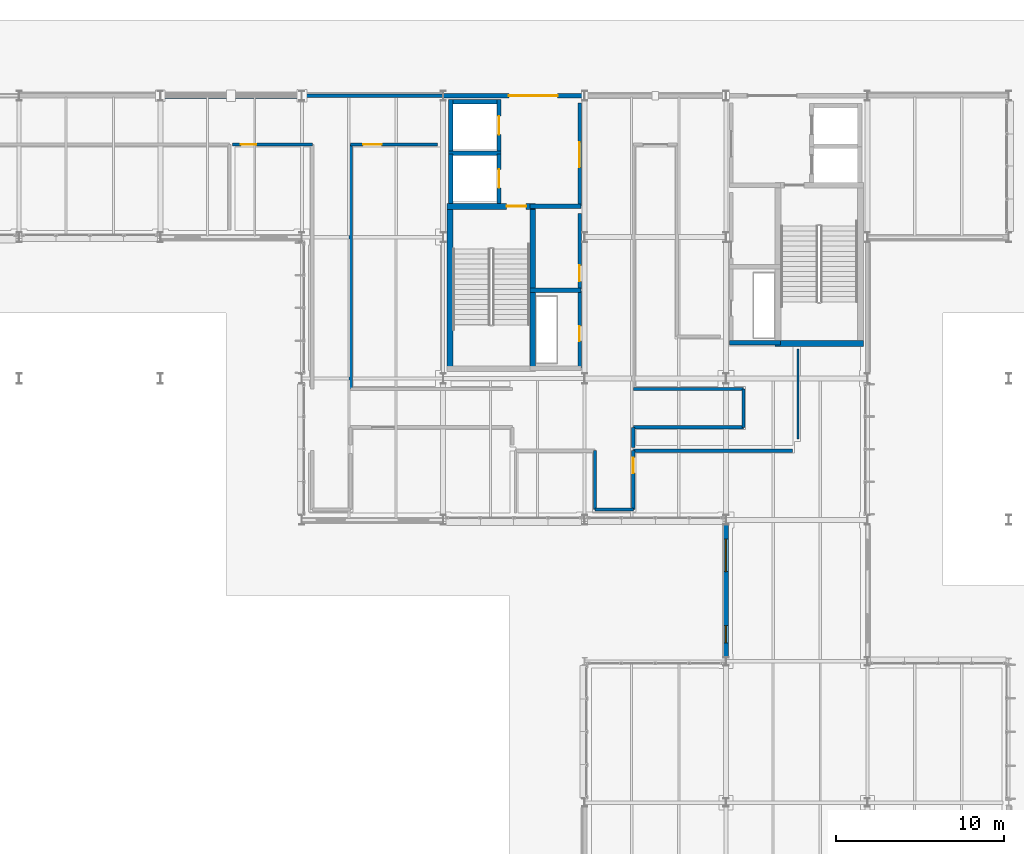
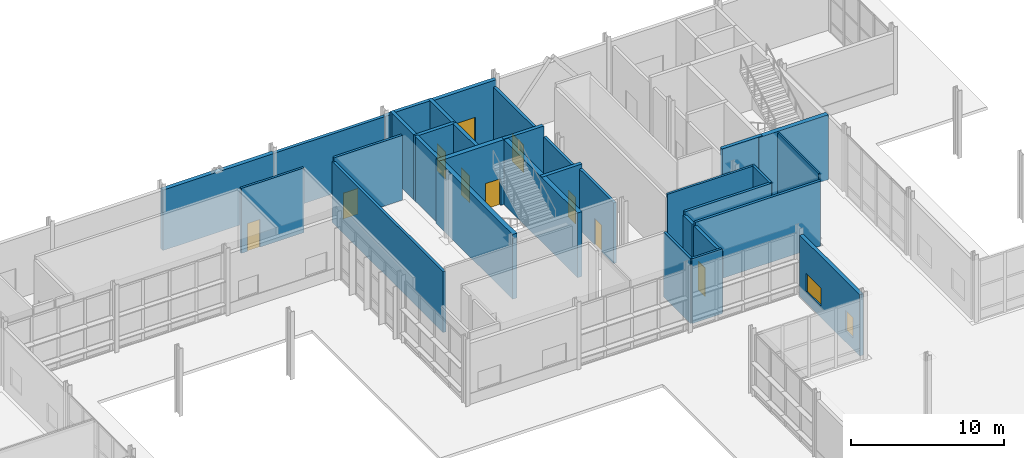
# One storey, part 94 of 124: 32 walls, 10 doors, 2 windows, 12 openings.
"""IFC4 building model written with IfcOpenShell, lengths in metres."""

from ifc_helpers import new_model, si_unit, direction, frame, frame_2d, origin, place, context, subcontext, project, spatial, rectangle, extrude, material, layer, layer_set, type_object, element, fill, save


model = new_model("IFC4")

# Units and contexts
model_context = context("Model", 3, precision=1e-05, world=origin(), true_north=direction((0.0, 1.0)))
body_context = subcontext(model_context, "Body", "Model", "MODEL_VIEW")
ifc_project = project(units=[si_unit("LENGTHUNIT", "METRE"), si_unit("AREAUNIT", "SQUARE_METRE"), si_unit("VOLUMEUNIT", "CUBIC_METRE"), si_unit("PLANEANGLEUNIT", "RADIAN"), si_unit("MASSUNIT", "GRAM", prefix="KILO")], contexts=[model_context])

# Site, building, storey
site_placement = place(None, origin())
site = spatial("IfcSite", under=ifc_project, at=site_placement, CompositionType="ELEMENT")
building_placement = place(site_placement, origin())
building = spatial("IfcBuilding", under=site, at=building_placement, Name="Mersafa Astral City Hall", CompositionType="ELEMENT")
storey_placement = place(building_placement, origin())
storey = spatial("IfcBuildingStorey", under=building, at=storey_placement, Name="L00", CompositionType="ELEMENT", Elevation=0.0)

# Wall
ifc_material_1 = material(Name="Precast concrete C40/50 insulated terracotta spandrel", Category="masonry")
ifc_layer_1 = layer(ifc_material_1, 0.235107421875, Name="Precast concrete C40/50 insulated terracotta spandrel")
ifc_layer_set_1 = layer_set([ifc_layer_1], Name="Precast concrete C40/50 insulated terracotta spandrel — ENV-WAL-EXT-235")
wall_type_1 = type_object("IfcWallType", Name="ENV-WAL-EXT-235", PredefinedType="STANDARD", material=ifc_layer_set_1)
wall_1_placement = place(storey_placement, frame((151.19189453125, 126.0, 0.0), z_axis=(0.0, 0.0, 1.0), x_axis=(-1.0, 0.0, 0.0)))
element("IfcWall", 1, at=wall_1_placement, inside=storey, type_object=wall_type_1, Name="L00 Limestone-clad exterior wall 41", PredefinedType="STANDARD", context=body_context, shape_type="SweptSolid", body=[
    extrude(rectangle(XDim=8.3837890625, YDim=0.235107421875, at=frame_2d((4.19189453125, 0.0))), origin(), (0.0, 0.0, 1.0), 4.797119140625),
])

# Wall, openings, windows
ifc_material_2 = material(Name="Precast concrete C40/50 insulated limestone wall", Category="masonry")
ifc_layer_2 = layer(ifc_material_2, 0.280029296875, Name="Precast concrete C40/50 insulated limestone wall")
ifc_layer_set_2 = layer_set([ifc_layer_2], Name="Precast concrete C40/50 insulated limestone wall — ENV-WAL-EXT-280")
wall_type_2 = type_object("IfcWallType", Name="ENV-WAL-EXT-280", PredefinedType="STANDARD", material=ifc_layer_set_2)
wall_2_placement = place(storey_placement, frame((168.0, 100.50390625, 0.0), z_axis=(0.0, 0.0, 1.0), x_axis=(0.0, -1.0, 0.0)))
wall_2 = element("IfcWall", 2, at=wall_2_placement, inside=storey, type_object=wall_type_2, Name="L00 Limestone-clad exterior wall 26", PredefinedType="STANDARD", context=body_context, shape_type="SweptSolid", body=[
    extrude(rectangle(XDim=7.85791015625, YDim=0.280029296875, at=frame_2d((3.928955078125, 0.0))), origin(), (0.0, 0.0, 1.0), 4.886962890625),
])
opening_1_placement = place(wall_2_placement, frame((0.85009765625, 0.0, 0.89990234375)))
opening_1 = element("IfcOpeningElement", 3, at=opening_1_placement, cuts=wall_2, Name="Opening W-30", PredefinedType="OPENING", context=body_context, shape_type="SweptSolid", body=[
    extrude(rectangle(XDim=1.919921875, YDim=1.449951171875, at=frame_2d((0.9599609375, 0.72509765625))), frame((0.0, 0.14990234375, 0.0), z_axis=(0.0, -1.0, 0.0), x_axis=(1.0, 0.0, 0.0)), (0.0, 0.0, 1.0), 0.300048828125),
])
opening_2_placement = place(wall_2_placement, frame((5.988037109375, 0.0, 0.89990234375)))
opening_2 = element("IfcOpeningElement", 4, at=opening_2_placement, cuts=wall_2, Name="Opening W-31", PredefinedType="OPENING", context=body_context, shape_type="SweptSolid", body=[
    extrude(rectangle(XDim=1.02001953125, YDim=1.64990234375, at=frame_2d((0.510009765625, 0.824951171875))), frame((0.0, 0.14990234375, 0.0), z_axis=(0.0, -1.0, 0.0), x_axis=(1.0, 0.0, 0.0)), (0.0, 0.0, 1.0), 0.300048828125),
])
ifc_material_3 = material(Name="Solar control low-e double glazing in bronze frame", Category="glass")
window_type_1 = type_object("IfcWindowType", Name="ENV-WIN-W-30", PartitioningType="SINGLE_PANEL", PredefinedType="WINDOW", material=ifc_material_3)
window_1_placement = place(opening_1_placement, origin())
window_1 = element("IfcWindow", 5, at=window_1_placement, inside=storey, type_object=window_type_1, Name="L00 Solar punched window 26-L", OverallHeight=1.449951171875, OverallWidth=1.919921875, PartitioningType="SINGLE_PANEL", PredefinedType="WINDOW", context=body_context, shape_type="SweptSolid", body=[
    extrude(rectangle(XDim=1.919921875, YDim=1.449951171875, at=frame_2d((0.9599609375, 0.72509765625))), frame((0.0, 0.030029296875, 0.0), z_axis=(0.0, -1.0, 0.0), x_axis=(1.0, 0.0, 0.0)), (0.0, 0.0, 1.0), 0.06005859375),
])
fill(opening_1, window_1)
window_type_2 = type_object("IfcWindowType", Name="ENV-WIN-W-31", PartitioningType="SINGLE_PANEL", PredefinedType="WINDOW", material=ifc_material_3)
window_2_placement = place(opening_2_placement, origin())
window_2 = element("IfcWindow", 6, at=window_2_placement, inside=storey, type_object=window_type_2, Name="L00 Solar punched window 26-R", OverallHeight=1.64990234375, OverallWidth=1.02001953125, PartitioningType="SINGLE_PANEL", PredefinedType="WINDOW", context=body_context, shape_type="SweptSolid", body=[
    extrude(rectangle(XDim=1.02001953125, YDim=1.64990234375, at=frame_2d((0.510009765625, 0.824951171875))), frame((0.0, 0.030029296875, 0.0), z_axis=(0.0, -1.0, 0.0), x_axis=(1.0, 0.0, 0.0)), (0.0, 0.0, 1.0), 0.06005859375),
])
fill(opening_2, window_2)

# Wall, opening, door
ifc_layer_3 = layer(ifc_material_2, 0.294921875, Name="Precast concrete C40/50 insulated limestone wall")
ifc_layer_set_3 = layer_set([ifc_layer_3], Name="Precast concrete C40/50 insulated limestone wall — ENV-WAL-EXT-295")
wall_type_3 = type_object("IfcWallType", Name="ENV-WAL-EXT-295", PredefinedType="STANDARD", material=ifc_layer_set_3)
wall_3_placement = place(storey_placement, frame((151.2080078125, 126.0, 0.0), z_axis=(0.0, 0.0, 1.0), x_axis=(1.0, 0.0, 0.0)))
wall_3 = element("IfcWall", 7, at=wall_3_placement, inside=storey, type_object=wall_type_3, Name="L00 Protected lobby exit wall E5", PredefinedType="STANDARD", context=body_context, shape_type="SweptSolid", body=[
    extrude(rectangle(XDim=8.384033203125, YDim=0.294921875, at=frame_2d((4.19189453125, 0.0))), origin(), (0.0, 0.0, 1.0), 4.826904296875),
])
opening_3_placement = place(wall_3_placement, frame((3.89208984375, 0.0, 0.0)))
opening_3 = element("IfcOpeningElement", 8, at=opening_3_placement, cuts=wall_3, Name="Opening ED-4", PredefinedType="OPENING", context=body_context, shape_type="SweptSolid", body=[
    extrude(rectangle(XDim=2.89990234375, YDim=2.3798828125, at=frame_2d((1.449951171875, 1.18994140625))), frame((0.0, 0.157470703125, 0.0), z_axis=(0.0, -1.0, 0.0), x_axis=(1.0, 0.0, 0.0)), (0.0, 0.0, 1.0), 0.31494140625),
])
ifc_material_4 = material(Name="Fire-rated steel exit door pair", Category="steel")
door_type_1 = type_object("IfcDoorType", Name="ENV-DR-EXIT-FD90-2650", OperationType="NOTDEFINED", PredefinedType="DOOR", material=ifc_material_4)
door_1_placement = place(opening_3_placement, origin())
door_1 = element("IfcDoor", 9, at=door_1_placement, inside=storey, type_object=door_type_1, Name="Ground Final Exit Door E5", OperationType="DOUBLE_DOOR_SINGLE_SWING", OverallHeight=2.3798828125, OverallWidth=2.89990234375, PredefinedType="DOOR", context=body_context, shape_type="SweptSolid", body=[
    extrude(rectangle(XDim=2.89990234375, YDim=2.3798828125, at=frame_2d((1.449951171875, 1.18994140625))), frame((0.0, 0.02490234375, 0.0), z_axis=(0.0, -1.0, 0.0), x_axis=(1.0, 0.0, 0.0)), (0.0, 0.0, 1.0), 0.050048828125),
])
fill(opening_3, door_1)

# Walls
ifc_layer_4 = layer(ifc_material_2, 0.31005859375, Name="Precast concrete C40/50 insulated limestone wall")
ifc_layer_set_4 = layer_set([ifc_layer_4], Name="Precast concrete C40/50 insulated limestone wall — ENV-WAL-EXT-310")
wall_type_4 = type_object("IfcWallType", Name="ENV-WAL-EXT-310", PredefinedType="STANDARD", material=ifc_layer_set_4)
wall_4_placement = place(storey_placement, frame((142.7919921875, 126.0, 0.0), z_axis=(0.0, 0.0, 1.0), x_axis=(-1.0, 0.0, 0.0)))
element("IfcWall", 10, at=wall_4_placement, inside=storey, type_object=wall_type_4, Name="L00 Limestone-clad exterior wall 42", PredefinedType="STANDARD", context=body_context, shape_type="SweptSolid", body=[
    extrude(rectangle(XDim=8.384033203125, YDim=0.31005859375, at=frame_2d((4.19189453125, 0.0))), origin(), (0.0, 0.0, 1.0), 4.826904296875),
])
ifc_material_5 = material(Name="Concrete C40/50", Category="concrete")
ifc_layer_5 = layer(ifc_material_5, 0.260009765625, Name="Concrete C40/50")
ifc_layer_set_5 = layer_set([ifc_layer_5], Name="Concrete C40/50 — INT-WAL-CORE-260")
wall_type_5 = type_object("IfcWallType", Name="INT-WAL-CORE-260", PredefinedType="SHEAR", material=ifc_layer_set_5)
wall_5_placement = place(storey_placement, frame((151.514892578125, 122.5849609375, 0.0), z_axis=(0.0, 0.0, 1.0), x_axis=(1.0, 0.0, 0.0)))
element("IfcWall", 11, at=wall_5_placement, inside=storey, type_object=wall_type_5, Name="L00 Lift LF1 north shaft wall", PredefinedType="SHEAR", context=body_context, shape_type="SweptSolid", body=[
    extrude(rectangle(XDim=3.130126953125, YDim=0.260009765625, at=frame_2d((1.56494140625, 0.0))), origin(), (0.0, 0.0, 1.0), 5.175048828125),
])
wall_6_placement = place(storey_placement, frame((151.64501953125, 119.596923828125, 0.0), z_axis=(0.0, 0.0, 1.0), x_axis=(0.0, 1.0, 0.0)))
element("IfcWall", 12, at=wall_6_placement, inside=storey, type_object=wall_type_5, Name="L00 Lift LF1 back shaft wall", PredefinedType="SHEAR", context=body_context, shape_type="SweptSolid", body=[
    extrude(rectangle(XDim=2.947998046875, YDim=0.260009765625, at=frame_2d((1.47412109375, 0.0))), origin(), (0.0, 0.0, 1.0), 5.175048828125),
])

# Wall, opening, door
wall_7_placement = place(storey_placement, frame((154.514892578125, 119.596923828125, 0.0), z_axis=(0.0, 0.0, 1.0), x_axis=(0.0, 1.0, 0.0)))
wall_7 = element("IfcWall", 13, at=wall_7_placement, inside=storey, type_object=wall_type_5, Name="L00 Lift LF1 front shaft wall", PredefinedType="SHEAR", context=body_context, shape_type="SweptSolid", body=[
    extrude(rectangle(XDim=2.947998046875, YDim=0.260009765625, at=frame_2d((1.47412109375, 0.0))), origin(), (0.0, 0.0, 1.0), 5.175048828125),
])
opening_4_placement = place(wall_7_placement, frame((0.924072265625, 0.0, 0.0)))
opening_4 = element("IfcOpeningElement", 14, at=opening_4_placement, cuts=wall_7, Name="Opening LD-1", PredefinedType="OPENING", context=body_context, shape_type="SweptSolid", body=[
    extrude(rectangle(XDim=1.10009765625, YDim=2.14990234375, at=frame_2d((0.550048828125, 1.074951171875))), frame((0.0, 0.139892578125, 0.0), z_axis=(0.0, -1.0, 0.0), x_axis=(1.0, 0.0, 0.0)), (0.0, 0.0, 1.0), 0.280029296875),
])
ifc_material_6 = material(Name="Stainless steel sliding lift landing door", Category="steel")
door_type_2 = type_object("IfcDoorType", Name="INT-DR-LIFT-LD1", OperationType="NOTDEFINED", PredefinedType="DOOR", material=ifc_material_6)
door_2_placement = place(opening_4_placement, origin())
door_2 = element("IfcDoor", 15, at=door_2_placement, inside=storey, type_object=door_type_2, Name="Elevator LF1 Sliding Landing Door L00", OperationType="DOUBLE_DOOR_SLIDING", OverallHeight=2.14990234375, OverallWidth=1.10009765625, PredefinedType="DOOR", context=body_context, shape_type="SweptSolid", body=[
    extrude(rectangle(XDim=1.10009765625, YDim=2.14990234375, at=frame_2d((0.550048828125, 1.074951171875))), frame((0.0, 0.02490234375, 0.0), z_axis=(0.0, -1.0, 0.0), x_axis=(1.0, 0.0, 0.0)), (0.0, 0.0, 1.0), 0.050048828125),
])
fill(opening_4, door_2)

# Walls
wall_8_placement = place(storey_placement, frame((151.514892578125, 125.635009765625, 0.0), z_axis=(0.0, 0.0, 1.0), x_axis=(1.0, 0.0, 0.0)))
element("IfcWall", 16, at=wall_8_placement, inside=storey, type_object=wall_type_5, Name="L00 Lift LF3 north shaft wall", PredefinedType="SHEAR", context=body_context, shape_type="SweptSolid", body=[
    extrude(rectangle(XDim=3.130126953125, YDim=0.260009765625, at=frame_2d((1.56494140625, 0.0))), origin(), (0.0, 0.0, 1.0), 5.175048828125),
])
wall_9_placement = place(storey_placement, frame((151.64501953125, 122.705078125, 0.0), z_axis=(0.0, 0.0, 1.0), x_axis=(0.0, 1.0, 0.0)))
element("IfcWall", 17, at=wall_9_placement, inside=storey, type_object=wall_type_5, Name="L00 Lift LF3 back shaft wall", PredefinedType="SHEAR", context=body_context, shape_type="SweptSolid", body=[
    extrude(rectangle(XDim=3.059814453125, YDim=0.260009765625, at=frame_2d((1.52978515625, 0.0))), origin(), (0.0, 0.0, 1.0), 5.175048828125),
])

# Wall, opening, door
wall_10_placement = place(storey_placement, frame((154.514892578125, 122.705078125, 0.0), z_axis=(0.0, 0.0, 1.0), x_axis=(0.0, 1.0, 0.0)))
wall_10 = element("IfcWall", 18, at=wall_10_placement, inside=storey, type_object=wall_type_5, Name="L00 Lift LF3 front shaft wall", PredefinedType="SHEAR", context=body_context, shape_type="SweptSolid", body=[
    extrude(rectangle(XDim=3.059814453125, YDim=0.260009765625, at=frame_2d((1.52978515625, 0.0))), origin(), (0.0, 0.0, 1.0), 5.175048828125),
])
opening_5_placement = place(wall_10_placement, frame((0.97998046875, 0.0, 0.0)))
opening_5 = element("IfcOpeningElement", 19, at=opening_5_placement, cuts=wall_10, Name="Opening LD-1", PredefinedType="OPENING", context=body_context, shape_type="SweptSolid", body=[
    extrude(rectangle(XDim=1.10009765625, YDim=2.14990234375, at=frame_2d((0.550048828125, 1.074951171875))), frame((0.0, 0.139892578125, 0.0), z_axis=(0.0, -1.0, 0.0), x_axis=(1.0, 0.0, 0.0)), (0.0, 0.0, 1.0), 0.280029296875),
])
door_3_placement = place(opening_5_placement, origin())
door_3 = element("IfcDoor", 20, at=door_3_placement, inside=storey, type_object=door_type_2, Name="Elevator LF3 Sliding Landing Door L00", OperationType="DOUBLE_DOOR_SLIDING", OverallHeight=2.14990234375, OverallWidth=1.10009765625, PredefinedType="DOOR", context=body_context, shape_type="SweptSolid", body=[
    extrude(rectangle(XDim=1.10009765625, YDim=2.14990234375, at=frame_2d((0.550048828125, 1.074951171875))), frame((0.0, 0.02490234375, 0.0), z_axis=(0.0, -1.0, 0.0), x_axis=(1.0, 0.0, 0.0)), (0.0, 0.0, 1.0), 0.050048828125),
])
fill(opening_5, door_3)

# Walls
for number, where, z_axis, x_axis, name in (
    (21, (156.364990234375, 114.43505859375, 0.0), (0.0, 0.0, 1.0), (1.0, 0.0, 0.0), "L00 Core K1 riser-restroom divider wall"),
    (22, (156.364990234375, 119.43505859375, 0.0), (0.0, 0.0, 1.0), (1.0, 0.0, 0.0), "L00 Core K1 restroom-lobby divider wall"),
):
    element("IfcWall", number, at=place(storey_placement, frame(where, z_axis=z_axis, x_axis=x_axis)), inside=storey, type_object=wall_type_5, Name=name, PredefinedType="SHEAR", context=body_context, shape_type="SweptSolid", body=[
        extrude(rectangle(XDim=3.034912109375, YDim=0.260009765625, at=frame_2d((1.517578125, 0.0))), origin(), (0.0, 0.0, 1.0), 5.175048828125),
    ])
wall_11_placement = place(storey_placement, frame((168.199951171875, 111.320068359375, 0.0), z_axis=(0.0, 0.0, 1.0), x_axis=(1.0, 0.0, 0.0)))
element("IfcWall", 23, at=wall_11_placement, inside=storey, type_object=wall_type_5, Name="L00 Core K2 riser south wall", PredefinedType="SHEAR", context=body_context, shape_type="SweptSolid", body=[
    extrude(rectangle(XDim=3.03515625, YDim=0.260009765625, at=frame_2d((1.517578125, 0.0))), origin(), (0.0, 0.0, 1.0), 5.175048828125),
])
ifc_layer_6 = layer(ifc_material_5, 0.340087890625, Name="Concrete C40/50")
ifc_layer_set_6 = layer_set([ifc_layer_6], Name="Concrete C40/50 — INT-WAL-CORE-340")
wall_type_6 = type_object("IfcWallType", Name="INT-WAL-CORE-340", PredefinedType="SHEAR", material=ifc_layer_set_6)
for number, where, z_axis, x_axis, name in (
    (24, (151.60498046875, 109.60498046875, 0.0), (0.0, 0.0, 1.0), (0.0, 1.0, 0.0), "L00 Core K1 stair west shear wall"),
    (25, (156.514892578125, 109.60498046875, 0.0), (0.0, 0.0, 1.0), (0.0, 1.0, 0.0), "L00 Core K1 stair east shear wall"),
):
    element("IfcWall", number, at=place(storey_placement, frame(where, z_axis=z_axis, x_axis=x_axis)), inside=storey, type_object=wall_type_6, Name=name, PredefinedType="SHEAR", context=body_context, shape_type="SweptSolid", body=[
        extrude(rectangle(XDim=9.989990234375, YDim=0.340087890625, at=frame_2d((4.9951171875, 0.0))), origin(), (0.0, 0.0, 1.0), 5.175048828125),
    ])

# Wall, opening, door
wall_12_placement = place(storey_placement, frame((151.43505859375, 119.425048828125, 0.0), z_axis=(0.0, 0.0, 1.0), x_axis=(1.0, 0.0, 0.0)))
wall_12 = element("IfcWall", 26, at=wall_12_placement, inside=storey, type_object=wall_type_6, Name="L00 Core K1 stair-lobby fire wall", PredefinedType="SHEAR", context=body_context, shape_type="SweptSolid", body=[
    extrude(rectangle(XDim=5.25, YDim=0.340087890625, at=frame_2d((2.625, 0.0))), origin(), (0.0, 0.0, 1.0), 5.175048828125),
])
opening_6_placement = place(wall_12_placement, frame((3.534912109375, 0.0, 0.0)))
opening_6 = element("IfcOpeningElement", 27, at=opening_6_placement, cuts=wall_12, Name="Opening CD-1", PredefinedType="OPENING", context=body_context, shape_type="SweptSolid", body=[
    extrude(rectangle(XDim=1.14990234375, YDim=2.14990234375, at=frame_2d((0.574951171875, 1.074951171875))), frame((0.0, 0.179931640625, 0.0), z_axis=(0.0, -1.0, 0.0), x_axis=(1.0, 0.0, 0.0)), (0.0, 0.0, 1.0), 0.360107421875),
])
ifc_material_7 = material(Name="Fire-rated steel stair door", Category="steel")
door_type_3 = type_object("IfcDoorType", Name="INT-DR-STAIR-FD90-1150", OperationType="NOTDEFINED", PredefinedType="DOOR", material=ifc_material_7)
door_4_placement = place(opening_6_placement, origin())
door_4 = element("IfcDoor", 28, at=door_4_placement, inside=storey, type_object=door_type_3, Name="L00 Protected Stair ST1 Door", OperationType="SINGLE_SWING_LEFT", OverallHeight=2.14990234375, OverallWidth=1.14990234375, PredefinedType="DOOR", context=body_context, shape_type="SweptSolid", body=[
    extrude(rectangle(XDim=1.14990234375, YDim=2.14990234375, at=frame_2d((0.574951171875, 1.074951171875))), frame((0.0, 0.02490234375, 0.0), z_axis=(0.0, -1.0, 0.0), x_axis=(1.0, 0.0, 0.0)), (0.0, 0.0, 1.0), 0.050048828125),
])
fill(opening_6, door_4)

# Walls
wall_13_placement = place(storey_placement, frame((170.9150390625, 111.27490234375, 0.0), z_axis=(0.0, 0.0, 1.0), x_axis=(1.0, 0.0, 0.0)))
element("IfcWall", 29, at=wall_13_placement, inside=storey, type_object=wall_type_6, Name="L00 Core K2 stair south shear wall", PredefinedType="SHEAR", context=body_context, shape_type="SweptSolid", body=[
    extrude(rectangle(XDim=5.25, YDim=0.340087890625, at=frame_2d((2.625, 0.0))), origin(), (0.0, 0.0, 1.0), 5.175048828125),
])
ifc_material_8 = material(Name="Acoustic steel-stud gypsum partition", Category="steel")
ifc_layer_7 = layer(ifc_material_8, 0.1201171875, Name="Acoustic steel-stud gypsum partition")
ifc_layer_set_7 = layer_set([ifc_layer_7], Name="Acoustic steel-stud gypsum partition — INT-WAL-PART-EI30-120")
wall_type_7 = type_object("IfcWallType", Name="INT-WAL-PART-EI30-120", PredefinedType="STANDARD", material=ifc_layer_set_7)
wall_14_placement = place(storey_placement, frame((172.2900390625, 105.610107421875, -0.00390625), z_axis=(0.0, 0.0, 1.0), x_axis=(0.0, 1.0, 0.0)))
element("IfcWall", 30, at=wall_14_placement, inside=storey, type_object=wall_type_7, Name="L00 Interior partition wall 122", PredefinedType="STANDARD", context=body_context, shape_type="SweptSolid", body=[
    extrude(rectangle(XDim=5.329833984375, YDim=0.1201171875, at=frame_2d((2.6650390625, 0.0))), origin(), (0.0, 0.0, 1.0), 5.178955078125),
])
ifc_material_9 = material(Name="Fire-rated gypsum stud partition", Category="gypsum")
ifc_layer_8 = layer(ifc_material_9, 0.1650390625, Name="Fire-rated gypsum stud partition")
ifc_layer_set_8 = layer_set([ifc_layer_8], Name="Fire-rated gypsum stud partition — INT-WAL-PART-EI60-165")
wall_type_8 = type_object("IfcWallType", Name="INT-WAL-PART-EI60-165", PredefinedType="STANDARD", material=ifc_layer_set_8)
wall_15_placement = place(storey_placement, frame((160.219970703125, 101.419921875, -0.00390625), z_axis=(0.0, 0.0, 1.0), x_axis=(1.0, 0.0, 0.0)))
element("IfcWall", 31, at=wall_15_placement, inside=storey, type_object=wall_type_8, Name="L00 Interior partition wall 119", PredefinedType="STANDARD", context=body_context, shape_type="SweptSolid", body=[
    extrude(rectangle(XDim=2.280029296875, YDim=0.1650390625, at=frame_2d((1.14013671875, 0.0))), origin(), (0.0, 0.0, 1.0), 5.178955078125),
])
wall_16_placement = place(storey_placement, frame((169.030029296875, 108.580078125, -0.00390625), z_axis=(0.0, 0.0, 1.0), x_axis=(-1.0, 0.0, 0.0)))
element("IfcWall", 32, at=wall_16_placement, inside=storey, type_object=wall_type_8, Name="L00 Interior partition wall 191", PredefinedType="STANDARD", context=body_context, shape_type="SweptSolid", body=[
    extrude(rectangle(XDim=6.530029296875, YDim=0.1650390625, at=frame_2d((3.26513671875, 0.0))), origin(), (0.0, 0.0, 1.0), 5.178955078125),
])

# Wall, opening, door
wall_17_placement = place(storey_placement, frame((138.68994140625, 123.10009765625, -0.00390625), z_axis=(0.0, 0.0, 1.0), x_axis=(1.0, 0.0, 0.0)))
wall_17 = element("IfcWall", 33, at=wall_17_placement, inside=storey, type_object=wall_type_8, Name="L00 Interior partition wall 247", PredefinedType="STANDARD", context=body_context, shape_type="SweptSolid", body=[
    extrude(rectangle(XDim=4.72998046875, YDim=0.1650390625, at=frame_2d((2.364990234375, 0.0))), origin(), (0.0, 0.0, 1.0), 5.178955078125),
])
opening_7_placement = place(wall_17_placement, frame((0.486083984375, 0.0, 0.0)))
opening_7 = element("IfcOpeningElement", 34, at=opening_7_placement, cuts=wall_17, Name="Opening D-19", PredefinedType="OPENING", context=body_context, shape_type="SweptSolid", body=[
    extrude(rectangle(XDim=0.919921875, YDim=2.219970703125, at=frame_2d((0.4599609375, 1.10986328125))), frame((0.0, 0.092529296875, 0.0), z_axis=(0.0, -1.0, 0.0), x_axis=(1.0, 0.0, 0.0)), (0.0, 0.0, 1.0), 0.18505859375),
])
ifc_material_10 = material(Name="Cedar veneered acoustic fire-rated timber door", Category="wood")
door_type_4 = type_object("IfcDoorType", Name="INT-DR-RM-D-19", OperationType="NOTDEFINED", PredefinedType="DOOR", material=ifc_material_10)
door_5_placement = place(opening_7_placement, origin())
door_5 = element("IfcDoor", 35, at=door_5_placement, inside=storey, type_object=door_type_4, Name="L00 Public Restroom L00-29 Entrance Door", OperationType="SINGLE_SWING_LEFT", OverallHeight=2.219970703125, OverallWidth=0.919921875, PredefinedType="DOOR", context=body_context, shape_type="SweptSolid", body=[
    extrude(rectangle(XDim=0.919921875, YDim=2.219970703125, at=frame_2d((0.4599609375, 1.10986328125))), frame((0.0, 0.02490234375, 0.0), z_axis=(0.0, -1.0, 0.0), x_axis=(1.0, 0.0, 0.0)), (0.0, 0.0, 1.0), 0.050048828125),
])
fill(opening_7, door_5)

# Wall
ifc_material_11 = material(Name="Acoustic twin-stud gypsum partition", Category="gypsum")
ifc_layer_9 = layer(ifc_material_11, 0.179931640625, Name="Acoustic twin-stud gypsum partition")
ifc_layer_set_9 = layer_set([ifc_layer_9], Name="Acoustic twin-stud gypsum partition — INT-WAL-PART-EI60-180")
wall_type_9 = type_object("IfcWallType", Name="INT-WAL-PART-EI60-180", PredefinedType="STANDARD", material=ifc_layer_set_9)
wall_18_placement = place(storey_placement, frame((160.219970703125, 104.909912109375, -0.00390625), z_axis=(0.0, 0.0, 1.0), x_axis=(0.0, -1.0, 0.0)))
element("IfcWall", 36, at=wall_18_placement, inside=storey, type_object=wall_type_9, Name="L00 Interior partition wall 118", PredefinedType="STANDARD", context=body_context, shape_type="SweptSolid", body=[
    extrude(rectangle(XDim=3.489990234375, YDim=0.179931640625, at=frame_2d((1.7451171875, 0.0))), origin(), (0.0, 0.0, 1.0), 5.178955078125),
])

# Wall, opening, door
wall_19_placement = place(storey_placement, frame((145.699951171875, 123.10009765625, -0.00390625), z_axis=(0.0, 0.0, 1.0), x_axis=(1.0, 0.0, 0.0)))
wall_19 = element("IfcWall", 37, at=wall_19_placement, inside=storey, type_object=wall_type_9, Name="L00 Interior partition wall 182", PredefinedType="STANDARD", context=body_context, shape_type="SweptSolid", body=[
    extrude(rectangle(XDim=5.16015625, YDim=0.179931640625, at=frame_2d((2.580078125, 0.0))), origin(), (0.0, 0.0, 1.0), 5.178955078125),
])
opening_8_placement = place(wall_19_placement, frame((0.739990234375, 0.0, 0.0)))
opening_8 = element("IfcOpeningElement", 38, at=opening_8_placement, cuts=wall_19, Name="Opening D-04", PredefinedType="OPENING", context=body_context, shape_type="SweptSolid", body=[
    extrude(rectangle(XDim=1.10009765625, YDim=2.06005859375, at=frame_2d((0.550048828125, 1.030029296875))), frame((0.0, 0.099853515625, 0.0), z_axis=(0.0, -1.0, 0.0), x_axis=(1.0, 0.0, 0.0)), (0.0, 0.0, 1.0), 0.199951171875),
])
door_type_5 = type_object("IfcDoorType", Name="INT-DR-RM-D-04", OperationType="NOTDEFINED", PredefinedType="DOOR", material=ifc_material_10)
door_6_placement = place(opening_8_placement, origin())
door_6 = element("IfcDoor", 39, at=door_6_placement, inside=storey, type_object=door_type_5, Name="L00 Public Hearings Auditorium L00-14 Entrance Door", OperationType="SINGLE_SWING_RIGHT", OverallHeight=2.06005859375, OverallWidth=1.10009765625, PredefinedType="DOOR", context=body_context, shape_type="SweptSolid", body=[
    extrude(rectangle(XDim=1.10009765625, YDim=2.06005859375, at=frame_2d((0.550048828125, 1.030029296875))), frame((0.0, 0.02490234375, 0.0), z_axis=(0.0, -1.0, 0.0), x_axis=(1.0, 0.0, 0.0)), (0.0, 0.0, 1.0), 0.050048828125),
])
fill(opening_8, door_6)

# Walls
wall_20_placement = place(storey_placement, frame((169.030029296875, 106.300048828125, -0.00390625), z_axis=(0.0, 0.0, 1.0), x_axis=(0.0, 1.0, 0.0)))
element("IfcWall", 40, at=wall_20_placement, inside=storey, type_object=wall_type_9, Name="L00 Interior partition wall 190", PredefinedType="STANDARD", context=body_context, shape_type="SweptSolid", body=[
    extrude(rectangle(XDim=2.280029296875, YDim=0.179931640625, at=frame_2d((1.14013671875, 0.0))), origin(), (0.0, 0.0, 1.0), 5.178955078125),
])
ifc_layer_10 = layer(ifc_material_11, 0.195068359375, Name="Acoustic twin-stud gypsum partition")
ifc_layer_set_10 = layer_set([ifc_layer_10], Name="Acoustic twin-stud gypsum partition — INT-WAL-PART-EI60-195")
wall_type_10 = type_object("IfcWallType", Name="INT-WAL-PART-EI60-195", PredefinedType="STANDARD", material=ifc_layer_set_10)
wall_21_placement = place(storey_placement, frame((162.5, 104.909912109375, -0.00390625), z_axis=(0.0, 0.0, 1.0), x_axis=(1.0, 0.0, 0.0)))
element("IfcWall", 41, at=wall_21_placement, inside=storey, type_object=wall_type_10, Name="L00 Interior partition wall 121", PredefinedType="STANDARD", context=body_context, shape_type="SweptSolid", body=[
    extrude(rectangle(XDim=9.43994140625, YDim=0.195068359375, at=frame_2d((4.719970703125, 0.0))), origin(), (0.0, 0.0, 1.0), 5.178955078125),
])
wall_22_placement = place(storey_placement, frame((145.699951171875, 108.580078125, -0.00390625), z_axis=(0.0, 0.0, 1.0), x_axis=(0.0, 1.0, 0.0)))
element("IfcWall", 42, at=wall_22_placement, inside=storey, type_object=wall_type_10, Name="L00 Interior partition wall 181", PredefinedType="STANDARD", context=body_context, shape_type="SweptSolid", body=[
    extrude(rectangle(XDim=14.52001953125, YDim=0.195068359375, at=frame_2d((7.260009765625, 0.0))), origin(), (0.0, 0.0, 1.0), 4.86083984375),
])
wall_23_placement = place(storey_placement, frame((162.5, 106.300048828125, -0.00390625), z_axis=(0.0, 0.0, 1.0), x_axis=(1.0, 0.0, 0.0)))
element("IfcWall", 43, at=wall_23_placement, inside=storey, type_object=wall_type_10, Name="L00 Interior partition wall 189", PredefinedType="STANDARD", context=body_context, shape_type="SweptSolid", body=[
    extrude(rectangle(XDim=6.530029296875, YDim=0.195068359375, at=frame_2d((3.26513671875, 0.0))), origin(), (0.0, 0.0, 1.0), 5.178955078125),
])

# Wall, opening, door
ifc_material_12 = material(Name="Autoclaved aerated concrete blockwork plastered", Category="masonry")
ifc_layer_11 = layer(ifc_material_12, 0.2099609375, Name="Autoclaved aerated concrete blockwork plastered")
ifc_layer_set_11 = layer_set([ifc_layer_11], Name="Autoclaved aerated concrete blockwork plastered — INT-WAL-PART-EI60-210")
wall_type_11 = type_object("IfcWallType", Name="INT-WAL-PART-EI60-210", PredefinedType="STANDARD", material=ifc_layer_set_11)
wall_24_placement = place(storey_placement, frame((159.300048828125, 109.820068359375, 0.0), z_axis=(0.0, 0.0, 1.0), x_axis=(0.0, 1.0, 0.0)))
wall_24 = element("IfcWall", 44, at=wall_24_placement, inside=storey, type_object=wall_type_11, Name="L00 Core K1 riser corridor partition", PredefinedType="STANDARD", context=body_context, shape_type="SweptSolid", body=[
    extrude(rectangle(XDim=4.58984375, YDim=0.2099609375, at=frame_2d((2.294921875, 0.0))), origin(), (0.0, 0.0, 1.0), 4.846923828125),
])
opening_9_placement = place(wall_24_placement, frame((1.60009765625, 0.0, 0.0)))
opening_9 = element("IfcOpeningElement", 45, at=opening_9_placement, cuts=wall_24, Name="Opening CD-5", PredefinedType="OPENING", context=body_context, shape_type="SweptSolid", body=[
    extrude(rectangle(XDim=0.89990234375, YDim=2.10009765625, at=frame_2d((0.449951171875, 1.050048828125))), frame((0.0, 0.114990234375, 0.0), z_axis=(0.0, -1.0, 0.0), x_axis=(1.0, 0.0, 0.0)), (0.0, 0.0, 1.0), 0.22998046875),
])
ifc_material_13 = material(Name="Fire-rated steel riser access door", Category="steel")
door_type_6 = type_object("IfcDoorType", Name="INT-DR-RISER-FD60-900", OperationType="NOTDEFINED", PredefinedType="DOOR", material=ifc_material_13)
door_7_placement = place(opening_9_placement, origin())
door_7 = element("IfcDoor", 46, at=door_7_placement, inside=storey, type_object=door_type_6, Name="L00 K1 MEP Riser Access Door", OperationType="SINGLE_SWING_RIGHT", OverallHeight=2.10009765625, OverallWidth=0.89990234375, PredefinedType="DOOR", context=body_context, shape_type="SweptSolid", body=[
    extrude(rectangle(XDim=0.89990234375, YDim=2.10009765625, at=frame_2d((0.449951171875, 1.050048828125))), frame((0.0, 0.02490234375, 0.0), z_axis=(0.0, -1.0, 0.0), x_axis=(1.0, 0.0, 0.0)), (0.0, 0.0, 1.0), 0.050048828125),
])
fill(opening_9, door_7)

wall_25_placement = place(storey_placement, frame((159.300048828125, 114.52001953125, 0.0), z_axis=(0.0, 0.0, 1.0), x_axis=(0.0, 1.0, 0.0)))
wall_25 = element("IfcWall", 47, at=wall_25_placement, inside=storey, type_object=wall_type_11, Name="L00 Core K1 accessible WC corridor partition", PredefinedType="STANDARD", context=body_context, shape_type="SweptSolid", body=[
    extrude(rectangle(XDim=4.47998046875, YDim=0.2099609375, at=frame_2d((2.239990234375, 0.0))), origin(), (0.0, 0.0, 1.0), 4.556884765625),
])
opening_10_placement = place(wall_25_placement, frame((0.449951171875, 0.0, 0.0)))
opening_10 = element("IfcOpeningElement", 48, at=opening_10_placement, cuts=wall_25, Name="Opening CD-4", PredefinedType="OPENING", context=body_context, shape_type="SweptSolid", body=[
    extrude(rectangle(XDim=0.949951171875, YDim=2.14990234375, at=frame_2d((0.47509765625, 1.074951171875))), frame((0.0, 0.114990234375, 0.0), z_axis=(0.0, -1.0, 0.0), x_axis=(1.0, 0.0, 0.0)), (0.0, 0.0, 1.0), 0.22998046875),
])
ifc_material_14 = material(Name="Accessible timber acoustic WC door", Category="wood")
door_type_7 = type_object("IfcDoorType", Name="INT-DR-WC-FD30-950", OperationType="NOTDEFINED", PredefinedType="DOOR", material=ifc_material_14)
door_8_placement = place(opening_10_placement, origin())
door_8 = element("IfcDoor", 49, at=door_8_placement, inside=storey, type_object=door_type_7, Name="L00 K1 Accessible Restroom Door", OperationType="SINGLE_SWING_LEFT", OverallHeight=2.14990234375, OverallWidth=0.949951171875, PredefinedType="DOOR", context=body_context, shape_type="SweptSolid", body=[
    extrude(rectangle(XDim=0.949951171875, YDim=2.14990234375, at=frame_2d((0.47509765625, 1.074951171875))), frame((0.0, 0.02490234375, 0.0), z_axis=(0.0, -1.0, 0.0), x_axis=(1.0, 0.0, 0.0)), (0.0, 0.0, 1.0), 0.050048828125),
])
fill(opening_10, door_8)

wall_26_placement = place(storey_placement, frame((159.300048828125, 119.43994140625, 0.0), z_axis=(0.0, 0.0, 1.0), x_axis=(0.0, 1.0, 0.0)))
wall_26 = element("IfcWall", 50, at=wall_26_placement, inside=storey, type_object=wall_type_11, Name="L00 Core K1 lobby corridor partition", PredefinedType="STANDARD", context=body_context, shape_type="SweptSolid", body=[
    extrude(rectangle(XDim=6.1201171875, YDim=0.2099609375, at=frame_2d((3.06005859375, 0.0))), origin(), (0.0, 0.0, 1.0), 4.556884765625),
])
opening_11_placement = place(wall_26_placement, frame((2.31005859375, 0.0, 0.0)))
opening_11 = element("IfcOpeningElement", 51, at=opening_11_placement, cuts=wall_26, Name="Opening CD-3", PredefinedType="OPENING", context=body_context, shape_type="SweptSolid", body=[
    extrude(rectangle(XDim=1.5, YDim=2.199951171875, at=frame_2d((0.75, 1.10009765625))), frame((0.0, 0.114990234375, 0.0), z_axis=(0.0, -1.0, 0.0), x_axis=(1.0, 0.0, 0.0)), (0.0, 0.0, 1.0), 0.22998046875),
])
ifc_material_15 = material(Name="Fire-rated glazed lobby door pair", Category="metal")
door_type_8 = type_object("IfcDoorType", Name="INT-DR-LOBBY-FD90-1500", OperationType="NOTDEFINED", PredefinedType="DOOR", material=ifc_material_15)
door_9_placement = place(opening_11_placement, origin())
door_9 = element("IfcDoor", 52, at=door_9_placement, inside=storey, type_object=door_type_8, Name="L00 K1 Lift Lobby Fire Door", OperationType="DOUBLE_DOOR_SINGLE_SWING", OverallHeight=2.199951171875, OverallWidth=1.5, PredefinedType="DOOR", context=body_context, shape_type="SweptSolid", body=[
    extrude(rectangle(XDim=1.5, YDim=2.199951171875, at=frame_2d((0.75, 1.10009765625))), frame((0.0, 0.02490234375, 0.0), z_axis=(0.0, -1.0, 0.0), x_axis=(1.0, 0.0, 0.0)), (0.0, 0.0, 1.0), 0.050048828125),
])
fill(opening_11, door_9)

wall_27_placement = place(storey_placement, frame((162.5, 101.419921875, -0.00390625), z_axis=(0.0, 0.0, 1.0), x_axis=(0.0, 1.0, 0.0)))
wall_27 = element("IfcWall", 53, at=wall_27_placement, inside=storey, type_object=wall_type_11, Name="L00 Interior partition wall 120", PredefinedType="STANDARD", context=body_context, shape_type="SweptSolid", body=[
    extrude(rectangle(XDim=3.489990234375, YDim=0.2099609375, at=frame_2d((1.7451171875, 0.0))), origin(), (0.0, 0.0, 1.0), 4.890869140625),
])
opening_12_placement = place(wall_27_placement, frame((2.157470703125, 0.0, 0.0)))
opening_12 = element("IfcOpeningElement", 54, at=opening_12_placement, cuts=wall_27, Name="Opening D-28", PredefinedType="OPENING", context=body_context, shape_type="SweptSolid", body=[
    extrude(rectangle(XDim=0.919921875, YDim=2.300048828125, at=frame_2d((0.4599609375, 1.14990234375))), frame((0.0, 0.114990234375, 0.0), z_axis=(0.0, -1.0, 0.0), x_axis=(1.0, 0.0, 0.0)), (0.0, 0.0, 1.0), 0.22998046875),
])
door_type_9 = type_object("IfcDoorType", Name="INT-DR-RM-D-28", OperationType="NOTDEFINED", PredefinedType="DOOR", material=ifc_material_10)
door_10_placement = place(opening_12_placement, origin())
door_10 = element("IfcDoor", 55, at=door_10_placement, inside=storey, type_object=door_type_9, Name="L00 Citizens Service Centre L00-02 Entrance Door", OperationType="SINGLE_SWING_RIGHT", OverallHeight=2.300048828125, OverallWidth=0.919921875, PredefinedType="DOOR", context=body_context, shape_type="SweptSolid", body=[
    extrude(rectangle(XDim=0.919921875, YDim=2.300048828125, at=frame_2d((0.4599609375, 1.14990234375))), frame((0.0, 0.02490234375, 0.0), z_axis=(0.0, -1.0, 0.0), x_axis=(1.0, 0.0, 0.0)), (0.0, 0.0, 1.0), 0.050048828125),
])
fill(opening_12, door_10)

# Wall
wall_28_placement = place(storey_placement, frame((162.5, 105.090087890625, -0.00390625), z_axis=(0.0, 0.0, 1.0), x_axis=(0.0, 1.0, 0.0)))
element("IfcWall", 56, at=wall_28_placement, inside=storey, type_object=wall_type_11, Name="L00 Interior partition wall 196", PredefinedType="STANDARD", context=body_context, shape_type="SweptSolid", body=[
    extrude(rectangle(XDim=1.2099609375, YDim=0.2099609375, at=frame_2d((0.60498046875, 0.0))), origin(), (0.0, 0.0, 1.0), 4.890869140625),
])

save(model, "model.ifc")
